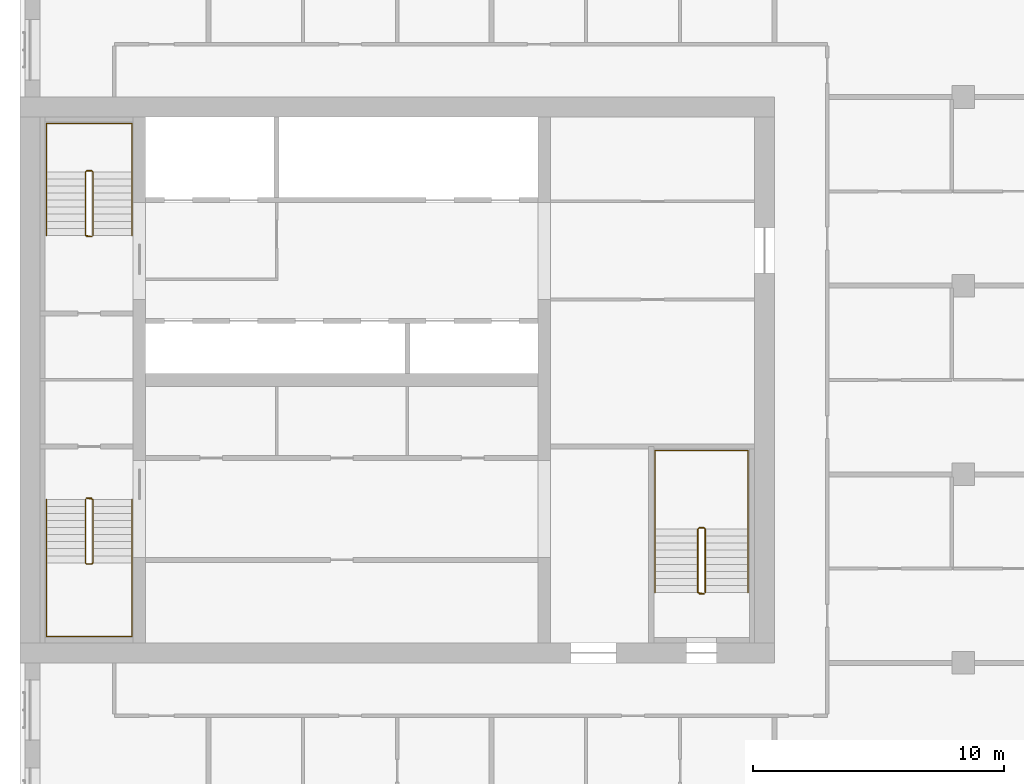
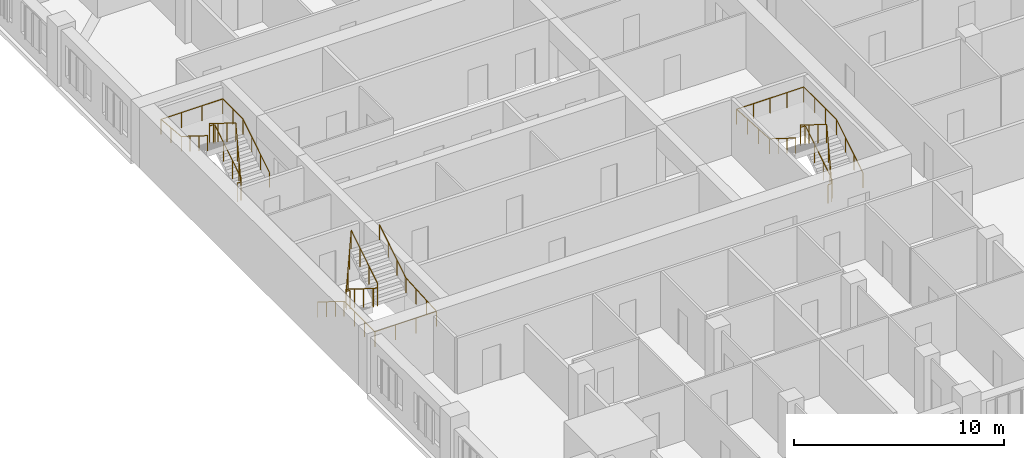
# One storey, part 14 of 14: 6 railings.
"""IFC4 building model written with IfcOpenShell, lengths in metres."""

from ifc_helpers import new_model, si_unit, direction, frame, origin, origin_2d, place, context, subcontext, project, spatial, circle, extrude, material, type_object, element, save


model = new_model("IFC4")

# Units and contexts
model_context = context("Model", 3, precision=1e-05, world=origin(), true_north=direction((0.0, 1.0)))
body_context = subcontext(model_context, "Body", "Model", "MODEL_VIEW")
ifc_project = project(units=[si_unit("LENGTHUNIT", "METRE"), si_unit("AREAUNIT", "SQUARE_METRE"), si_unit("VOLUMEUNIT", "CUBIC_METRE"), si_unit("PLANEANGLEUNIT", "RADIAN"), si_unit("MASSUNIT", "GRAM", prefix="KILO")], contexts=[model_context])

# Site, building, storey
site_placement = place(None, origin())
site = spatial("IfcSite", under=ifc_project, at=site_placement, CompositionType="ELEMENT")
building_placement = place(site_placement, origin())
building = spatial("IfcBuilding", under=site, at=building_placement, Name="Tamorin Gate", CompositionType="ELEMENT")
storey_placement = place(building_placement, frame((0.0, 0.0, 182.699951171875)))
storey = spatial("IfcBuildingStorey", under=building, at=storey_placement, Name="L44", CompositionType="ELEMENT", Elevation=182.699951171875)

# Railings
ifc_material_1 = material(Name="Painted steel balustrade", Category="steel")
railing_type_1 = type_object("IfcRailingType", Name="Stair guard 1100", PredefinedType="GUARDRAIL", material=ifc_material_1)
railing_1_placement = place(storey_placement, frame((32.60009765625, 66.5, 0.175048828125)))
element("IfcRailing", 1, at=railing_1_placement, inside=storey, type_object=railing_type_1, Name="L44 ST1 stair guard 1", PredefinedType="GUARDRAIL", context=body_context, shape_type="SweptSolid", body=[
    extrude(circle(Radius=0.02392578125, at=origin_2d()), frame((0.0, 0.0, 1.076171875), z_axis=(0.0, -0.848007534815, 0.529984170421), x_axis=(1.0, 0.0, 0.0)), (0.0, 0.0, 1.0), 2.9716796875),
    extrude(circle(Radius=0.02392578125, at=origin_2d()), frame((0.0, -2.52001953125, 2.65087890625), z_axis=(0.705375805398, -0.708833529934, 0.0), x_axis=(0.708833529934, 0.705375805398, 0.0)), (0.0, 0.0, 1.0), 0.070556640625),
    extrude(circle(Radius=0.02392578125, at=origin_2d()), frame((0.0498046875, -2.570068359375, 2.65087890625), z_axis=(1.0, 0.0, 0.0), x_axis=(0.0, 1.0, 0.0)), (0.0, 0.0, 1.0), 0.2001953125),
    extrude(circle(Radius=0.02392578125, at=origin_2d()), frame((0.25, -2.570068359375, 2.65087890625), z_axis=(0.263862480399, 0.265155923931, 0.927399011991), x_axis=(-0.708833529934, 0.705375805398, 0.0)), (0.0, 0.0, 1.0), 0.188720703125),
    extrude(circle(Radius=0.02392578125, at=origin_2d()), frame((0.2998046875, -2.52001953125, 2.826171875), z_axis=(0.0, 0.848007534815, 0.529984170421), x_axis=(-1.0, 0.0, 0.0)), (0.0, 0.0, 1.0), 2.9716796875),
    extrude(circle(Radius=0.02392578125, at=origin_2d()), frame((0.2998046875, 0.0, 4.40087890625), z_axis=(-0.071239803756, 0.014261874775, -0.997357252587), x_axis=(-0.196300278283, -0.98054382908, 0.0)), (0.0, 0.0, 1.0), 3.50927734375),
    extrude(circle(Radius=0.02392578125, at=origin_2d()), frame((0.0498046875, 0.050048828125, 0.90087890625), z_axis=(1.0, 0.0, 0.0), x_axis=(0.0, 1.0, 0.0)), (0.0, 0.0, 1.0), 0.2001953125),
    extrude(circle(Radius=0.02099609375, at=origin_2d()), origin(), (0.0, 0.0, 1.0), 1.052001953125),
    extrude(circle(Radius=0.02099609375, at=origin_2d()), frame((0.0, -0.840087890625, 0.52490234375)), (0.0, 0.0, 1.0), 1.052001953125),
    extrude(circle(Radius=0.02099609375, at=origin_2d()), frame((0.0, -1.679931640625, 1.050048828125)), (0.0, 0.0, 1.0), 1.052001953125),
    extrude(circle(Radius=0.02099609375, at=origin_2d()), frame((0.0, -2.52001953125, 1.574951171875)), (0.0, 0.0, 1.0), 1.052001953125),
    extrude(circle(Radius=0.02099609375, at=origin_2d()), frame((0.0498046875, -2.570068359375, 1.574951171875)), (0.0, 0.0, 1.0), 1.052001953125),
    extrude(circle(Radius=0.02099609375, at=origin_2d()), frame((0.25, -2.570068359375, 1.574951171875)), (0.0, 0.0, 1.0), 1.052001953125),
    extrude(circle(Radius=0.02099609375, at=origin_2d()), frame((0.2998046875, -2.52001953125, 1.75)), (0.0, 0.0, 1.0), 1.052001953125),
    extrude(circle(Radius=0.02099609375, at=origin_2d()), frame((0.2998046875, -1.679931640625, 2.27490234375)), (0.0, 0.0, 1.0), 1.052001953125),
    extrude(circle(Radius=0.02099609375, at=origin_2d()), frame((0.2998046875, -0.840087890625, 2.800048828125)), (0.0, 0.0, 1.0), 1.052001953125),
    extrude(circle(Radius=0.02099609375, at=origin_2d()), frame((0.2998046875, 0.0, 3.324951171875)), (0.0, 0.0, 1.0), 1.052001953125),
    extrude(circle(Radius=0.02099609375, at=origin_2d()), frame((0.216552734375, 0.0166015625, 2.158203125)), (0.0, 0.0, 1.0), 1.052001953125),
    extrude(circle(Radius=0.02099609375, at=origin_2d()), frame((0.133056640625, 0.033447265625, 0.99169921875)), (0.0, 0.0, 1.0), 1.052001953125),
    extrude(circle(Radius=0.02099609375, at=origin_2d()), frame((0.0498046875, 0.050048828125, -0.175048828125)), (0.0, 0.0, 1.0), 1.052001953125),
    extrude(circle(Radius=0.02099609375, at=origin_2d()), frame((0.25, 0.050048828125, -0.175048828125)), (0.0, 0.0, 1.0), 1.052001953125),
])
railing_2_placement = place(storey_placement, frame((32.89990234375, 77.0, 0.175048828125)))
element("IfcRailing", 2, at=railing_2_placement, inside=storey, type_object=railing_type_1, Name="L44 ST2 stair guard 1", PredefinedType="GUARDRAIL", context=body_context, shape_type="SweptSolid", body=[
    extrude(circle(Radius=0.02392578125, at=origin_2d()), frame((0.0, 0.0, 1.076171875), z_axis=(0.0, 0.848007534815, 0.529984170421), x_axis=(-1.0, 0.0, 0.0)), (0.0, 0.0, 1.0), 2.9716796875),
    extrude(circle(Radius=0.02392578125, at=origin_2d()), frame((0.0, 2.52001953125, 2.65087890625), z_axis=(-0.705375805398, 0.708833529934, 0.0), x_axis=(-0.708833529934, -0.705375805398, 0.0)), (0.0, 0.0, 1.0), 0.070556640625),
    extrude(circle(Radius=0.02392578125, at=origin_2d()), frame((-0.0498046875, 2.570068359375, 2.65087890625), z_axis=(-1.0, 0.0, 0.0), x_axis=(0.0, -1.0, 0.0)), (0.0, 0.0, 1.0), 0.2001953125),
    extrude(circle(Radius=0.02392578125, at=origin_2d()), frame((-0.25, 2.570068359375, 2.65087890625), z_axis=(-0.263862480399, -0.265155923931, 0.927399011991), x_axis=(0.708833529934, -0.705375805398, 0.0)), (0.0, 0.0, 1.0), 0.188720703125),
    extrude(circle(Radius=0.02392578125, at=origin_2d()), frame((-0.2998046875, 2.52001953125, 2.826171875), z_axis=(0.0, -0.848007534815, 0.529984170421), x_axis=(1.0, 0.0, 0.0)), (0.0, 0.0, 1.0), 2.9716796875),
    extrude(circle(Radius=0.02392578125, at=origin_2d()), frame((-0.2998046875, 0.0, 4.40087890625), z_axis=(0.071239803756, -0.014261874775, -0.997357252587), x_axis=(0.196300278283, 0.98054382908, 0.0)), (0.0, 0.0, 1.0), 3.50927734375),
    extrude(circle(Radius=0.02392578125, at=origin_2d()), frame((-0.0498046875, -0.050048828125, 0.90087890625), z_axis=(-1.0, 0.0, 0.0), x_axis=(0.0, -1.0, 0.0)), (0.0, 0.0, 1.0), 0.2001953125),
    extrude(circle(Radius=0.02099609375, at=origin_2d()), origin(), (0.0, 0.0, 1.0), 1.052001953125),
    extrude(circle(Radius=0.02099609375, at=origin_2d()), frame((0.0, 0.840087890625, 0.52490234375)), (0.0, 0.0, 1.0), 1.052001953125),
    extrude(circle(Radius=0.02099609375, at=origin_2d()), frame((0.0, 1.679931640625, 1.050048828125)), (0.0, 0.0, 1.0), 1.052001953125),
    extrude(circle(Radius=0.02099609375, at=origin_2d()), frame((0.0, 2.52001953125, 1.574951171875)), (0.0, 0.0, 1.0), 1.052001953125),
    extrude(circle(Radius=0.02099609375, at=origin_2d()), frame((-0.0498046875, 2.570068359375, 1.574951171875)), (0.0, 0.0, 1.0), 1.052001953125),
    extrude(circle(Radius=0.02099609375, at=origin_2d()), frame((-0.25, 2.570068359375, 1.574951171875)), (0.0, 0.0, 1.0), 1.052001953125),
    extrude(circle(Radius=0.02099609375, at=origin_2d()), frame((-0.2998046875, 2.52001953125, 1.75)), (0.0, 0.0, 1.0), 1.052001953125),
    extrude(circle(Radius=0.02099609375, at=origin_2d()), frame((-0.2998046875, 1.679931640625, 2.27490234375)), (0.0, 0.0, 1.0), 1.052001953125),
    extrude(circle(Radius=0.02099609375, at=origin_2d()), frame((-0.2998046875, 0.840087890625, 2.800048828125)), (0.0, 0.0, 1.0), 1.052001953125),
    extrude(circle(Radius=0.02099609375, at=origin_2d()), frame((-0.2998046875, 0.0, 3.324951171875)), (0.0, 0.0, 1.0), 1.052001953125),
    extrude(circle(Radius=0.02099609375, at=origin_2d()), frame((-0.216552734375, -0.0166015625, 2.158203125)), (0.0, 0.0, 1.0), 1.052001953125),
    extrude(circle(Radius=0.02099609375, at=origin_2d()), frame((-0.133056640625, -0.033447265625, 0.99169921875)), (0.0, 0.0, 1.0), 1.052001953125),
    extrude(circle(Radius=0.02099609375, at=origin_2d()), frame((-0.0498046875, -0.050048828125, -0.175048828125)), (0.0, 0.0, 1.0), 1.052001953125),
    extrude(circle(Radius=0.02099609375, at=origin_2d()), frame((-0.25, -0.050048828125, -0.175048828125)), (0.0, 0.0, 1.0), 1.052001953125),
])
railing_3_placement = place(storey_placement, frame((57.25, 62.800048828125, 0.175048828125)))
element("IfcRailing", 3, at=railing_3_placement, inside=storey, type_object=railing_type_1, Name="L44 ST3 stair guard 1", PredefinedType="GUARDRAIL", context=body_context, shape_type="SweptSolid", body=[
    extrude(circle(Radius=0.02392578125, at=origin_2d()), frame((0.0, 0.0, 1.076171875), z_axis=(0.0, 0.848007534815, 0.529984170421), x_axis=(-1.0, 0.0, 0.0)), (0.0, 0.0, 1.0), 2.9716796875),
    extrude(circle(Radius=0.02392578125, at=origin_2d()), frame((0.0, 2.52001953125, 2.65087890625), z_axis=(-0.707106781187, 0.707106781187, 0.0), x_axis=(-0.707106781187, -0.707106781187, 0.0)), (0.0, 0.0, 1.0), 0.07080078125),
    extrude(circle(Radius=0.02392578125, at=origin_2d()), frame((-0.050048828125, 2.570068359375, 2.65087890625), z_axis=(-1.0, 0.0, 0.0), x_axis=(0.0, -1.0, 0.0)), (0.0, 0.0, 1.0), 0.199951171875),
    extrude(circle(Radius=0.02392578125, at=origin_2d()), frame((-0.25, 2.570068359375, 2.65087890625), z_axis=(-0.265065253269, -0.265065253269, 0.927081885822), x_axis=(0.707106781187, -0.707106781187, 0.0)), (0.0, 0.0, 1.0), 0.188720703125),
    extrude(circle(Radius=0.02392578125, at=origin_2d()), frame((-0.300048828125, 2.52001953125, 2.826171875), z_axis=(0.0, -0.848007534815, 0.529984170421), x_axis=(1.0, 0.0, 0.0)), (0.0, 0.0, 1.0), 2.9716796875),
    extrude(circle(Radius=0.02392578125, at=origin_2d()), frame((-0.300048828125, 0.0, 4.40087890625), z_axis=(0.071239803756, -0.014261874775, -0.997357252587), x_axis=(0.196300278283, 0.98054382908, 0.0)), (0.0, 0.0, 1.0), 3.50927734375),
    extrude(circle(Radius=0.02392578125, at=origin_2d()), frame((-0.050048828125, -0.050048828125, 0.90087890625), z_axis=(-1.0, 0.0, 0.0), x_axis=(0.0, -1.0, 0.0)), (0.0, 0.0, 1.0), 0.199951171875),
    extrude(circle(Radius=0.02099609375, at=origin_2d()), origin(), (0.0, 0.0, 1.0), 1.052001953125),
    extrude(circle(Radius=0.02099609375, at=origin_2d()), frame((0.0, 0.840087890625, 0.52490234375)), (0.0, 0.0, 1.0), 1.052001953125),
    extrude(circle(Radius=0.02099609375, at=origin_2d()), frame((0.0, 1.679931640625, 1.050048828125)), (0.0, 0.0, 1.0), 1.052001953125),
    extrude(circle(Radius=0.02099609375, at=origin_2d()), frame((0.0, 2.52001953125, 1.574951171875)), (0.0, 0.0, 1.0), 1.052001953125),
    extrude(circle(Radius=0.02099609375, at=origin_2d()), frame((-0.050048828125, 2.570068359375, 1.574951171875)), (0.0, 0.0, 1.0), 1.052001953125),
    extrude(circle(Radius=0.02099609375, at=origin_2d()), frame((-0.25, 2.570068359375, 1.574951171875)), (0.0, 0.0, 1.0), 1.052001953125),
    extrude(circle(Radius=0.02099609375, at=origin_2d()), frame((-0.300048828125, 2.52001953125, 1.75)), (0.0, 0.0, 1.0), 1.052001953125),
    extrude(circle(Radius=0.02099609375, at=origin_2d()), frame((-0.300048828125, 1.679931640625, 2.27490234375)), (0.0, 0.0, 1.0), 1.052001953125),
    extrude(circle(Radius=0.02099609375, at=origin_2d()), frame((-0.300048828125, 0.840087890625, 2.800048828125)), (0.0, 0.0, 1.0), 1.052001953125),
    extrude(circle(Radius=0.02099609375, at=origin_2d()), frame((-0.300048828125, 0.0, 3.324951171875)), (0.0, 0.0, 1.0), 1.052001953125),
    extrude(circle(Radius=0.02099609375, at=origin_2d()), frame((-0.216796875, -0.0166015625, 2.158203125)), (0.0, 0.0, 1.0), 1.052001953125),
    extrude(circle(Radius=0.02099609375, at=origin_2d()), frame((-0.13330078125, -0.033447265625, 0.99169921875)), (0.0, 0.0, 1.0), 1.052001953125),
    extrude(circle(Radius=0.02099609375, at=origin_2d()), frame((-0.050048828125, -0.050048828125, -0.175048828125)), (0.0, 0.0, 1.0), 1.052001953125),
    extrude(circle(Radius=0.02099609375, at=origin_2d()), frame((-0.25, -0.050048828125, -0.175048828125)), (0.0, 0.0, 1.0), 1.052001953125),
])
ifc_material_2 = material(Name="Painted steel handrail", Category="steel")
railing_type_2 = type_object("IfcRailingType", Name="Stair handrail 900", PredefinedType="HANDRAIL", material=ifc_material_2)
railing_4_placement = place(storey_placement, frame((31.050048828125, 66.5, 0.175048828125)))
element("IfcRailing", 4, at=railing_4_placement, inside=storey, type_object=railing_type_2, Name="L44 ST1 stair handrail 1", PredefinedType="HANDRAIL", context=body_context, shape_type="SweptSolid", body=[
    extrude(circle(Radius=0.02392578125, at=origin_2d()), frame((0.0, 0.0, 0.8759765625), z_axis=(0.0, -0.848007534815, 0.529984170421), x_axis=(1.0, 0.0, 0.0)), (0.0, 0.0, 1.0), 2.9716796875),
    extrude(circle(Radius=0.02392578125, at=origin_2d()), frame((0.0, -2.52001953125, 2.45068359375), z_axis=(0.0, -1.0, 0.0), x_axis=(1.0, 0.0, 0.0)), (0.0, 0.0, 1.0), 2.929931640625),
    extrude(circle(Radius=0.02392578125, at=origin_2d()), frame((0.0, -5.449951171875, 2.45068359375), z_axis=(1.0, 0.0, 0.0), x_axis=(0.0, 1.0, 0.0)), (0.0, 0.0, 1.0), 3.39990234375),
    extrude(circle(Radius=0.02392578125, at=origin_2d()), frame((3.39990234375, -5.449951171875, 2.45068359375), z_axis=(0.0, 0.998220029962, 0.0596386769), x_axis=(-1.0, 0.0, 0.0)), (0.0, 0.0, 1.0), 2.93505859375),
    extrude(circle(Radius=0.02392578125, at=origin_2d()), frame((3.39990234375, -2.52001953125, 2.6259765625), z_axis=(0.0, 0.848007534815, 0.529984170421), x_axis=(-1.0, 0.0, 0.0)), (0.0, 0.0, 1.0), 2.9716796875),
    extrude(circle(Radius=0.02099609375, at=origin_2d()), origin(), (0.0, 0.0, 1.0), 0.851806640625),
    extrude(circle(Radius=0.02099609375, at=origin_2d()), frame((0.0, -0.840087890625, 0.52490234375)), (0.0, 0.0, 1.0), 0.851806640625),
    extrude(circle(Radius=0.02099609375, at=origin_2d()), frame((0.0, -1.679931640625, 1.050048828125)), (0.0, 0.0, 1.0), 0.851806640625),
    extrude(circle(Radius=0.02099609375, at=origin_2d()), frame((0.0, -2.52001953125, 1.574951171875)), (0.0, 0.0, 1.0), 0.851806640625),
    extrude(circle(Radius=0.02099609375, at=origin_2d()), frame((0.0, -3.49658203125, 1.574951171875)), (0.0, 0.0, 1.0), 0.851806640625),
    extrude(circle(Radius=0.02099609375, at=origin_2d()), frame((0.0, -4.473388671875, 1.574951171875)), (0.0, 0.0, 1.0), 0.851806640625),
    extrude(circle(Radius=0.02099609375, at=origin_2d()), frame((0.0, -5.449951171875, 1.574951171875)), (0.0, 0.0, 1.0), 0.851806640625),
    extrude(circle(Radius=0.02099609375, at=origin_2d()), frame((1.13330078125, -5.449951171875, 1.574951171875)), (0.0, 0.0, 1.0), 0.851806640625),
    extrude(circle(Radius=0.02099609375, at=origin_2d()), frame((2.2666015625, -5.449951171875, 1.574951171875)), (0.0, 0.0, 1.0), 0.851806640625),
    extrude(circle(Radius=0.02099609375, at=origin_2d()), frame((3.39990234375, -5.449951171875, 1.574951171875)), (0.0, 0.0, 1.0), 0.851806640625),
    extrude(circle(Radius=0.02099609375, at=origin_2d()), frame((3.39990234375, -4.473388671875, 1.63330078125)), (0.0, 0.0, 1.0), 0.851806640625),
    extrude(circle(Radius=0.02099609375, at=origin_2d()), frame((3.39990234375, -3.49658203125, 1.691650390625)), (0.0, 0.0, 1.0), 0.851806640625),
    extrude(circle(Radius=0.02099609375, at=origin_2d()), frame((3.39990234375, -2.52001953125, 1.75)), (0.0, 0.0, 1.0), 0.851806640625),
    extrude(circle(Radius=0.02099609375, at=origin_2d()), frame((3.39990234375, -1.679931640625, 2.27490234375)), (0.0, 0.0, 1.0), 0.851806640625),
    extrude(circle(Radius=0.02099609375, at=origin_2d()), frame((3.39990234375, -0.840087890625, 2.800048828125)), (0.0, 0.0, 1.0), 0.851806640625),
    extrude(circle(Radius=0.02099609375, at=origin_2d()), frame((3.39990234375, 0.0, 3.324951171875)), (0.0, 0.0, 1.0), 0.851806640625),
])
railing_5_placement = place(storey_placement, frame((34.449951171875, 77.0, 0.175048828125)))
element("IfcRailing", 5, at=railing_5_placement, inside=storey, type_object=railing_type_2, Name="L44 ST2 stair handrail 1", PredefinedType="HANDRAIL", context=body_context, shape_type="SweptSolid", body=[
    extrude(circle(Radius=0.02392578125, at=origin_2d()), frame((0.0, 0.0, 0.8759765625), z_axis=(0.0, 0.848007534815, 0.529984170421), x_axis=(-1.0, 0.0, 0.0)), (0.0, 0.0, 1.0), 2.9716796875),
    extrude(circle(Radius=0.02392578125, at=origin_2d()), frame((0.0, 2.52001953125, 2.45068359375), z_axis=(0.0, 1.0, 0.0), x_axis=(-1.0, 0.0, 0.0)), (0.0, 0.0, 1.0), 1.929931640625),
    extrude(circle(Radius=0.02392578125, at=origin_2d()), frame((0.0, 4.449951171875, 2.45068359375), z_axis=(-1.0, 0.0, 0.0), x_axis=(0.0, -1.0, 0.0)), (0.0, 0.0, 1.0), 3.39990234375),
    extrude(circle(Radius=0.02392578125, at=origin_2d()), frame((-3.39990234375, 4.449951171875, 2.45068359375), z_axis=(0.0, -0.995911773435, 0.090331276604), x_axis=(1.0, 0.0, 0.0)), (0.0, 0.0, 1.0), 1.937744140625),
    extrude(circle(Radius=0.02392578125, at=origin_2d()), frame((-3.39990234375, 2.52001953125, 2.6259765625), z_axis=(0.0, -0.848007534815, 0.529984170421), x_axis=(1.0, 0.0, 0.0)), (0.0, 0.0, 1.0), 2.9716796875),
    extrude(circle(Radius=0.02099609375, at=origin_2d()), origin(), (0.0, 0.0, 1.0), 0.851806640625),
    extrude(circle(Radius=0.02099609375, at=origin_2d()), frame((0.0, 0.840087890625, 0.52490234375)), (0.0, 0.0, 1.0), 0.851806640625),
    extrude(circle(Radius=0.02099609375, at=origin_2d()), frame((0.0, 1.679931640625, 1.050048828125)), (0.0, 0.0, 1.0), 0.851806640625),
    extrude(circle(Radius=0.02099609375, at=origin_2d()), frame((0.0, 2.52001953125, 1.574951171875)), (0.0, 0.0, 1.0), 0.851806640625),
    extrude(circle(Radius=0.02099609375, at=origin_2d()), frame((0.0, 3.48486328125, 1.574951171875)), (0.0, 0.0, 1.0), 0.851806640625),
    extrude(circle(Radius=0.02099609375, at=origin_2d()), frame((0.0, 4.449951171875, 1.574951171875)), (0.0, 0.0, 1.0), 0.851806640625),
    extrude(circle(Radius=0.02099609375, at=origin_2d()), frame((-1.13330078125, 4.449951171875, 1.574951171875)), (0.0, 0.0, 1.0), 0.851806640625),
    extrude(circle(Radius=0.02099609375, at=origin_2d()), frame((-2.2666015625, 4.449951171875, 1.574951171875)), (0.0, 0.0, 1.0), 0.851806640625),
    extrude(circle(Radius=0.02099609375, at=origin_2d()), frame((-3.39990234375, 4.449951171875, 1.574951171875)), (0.0, 0.0, 1.0), 0.851806640625),
    extrude(circle(Radius=0.02099609375, at=origin_2d()), frame((-3.39990234375, 3.48486328125, 1.66259765625)), (0.0, 0.0, 1.0), 0.851806640625),
    extrude(circle(Radius=0.02099609375, at=origin_2d()), frame((-3.39990234375, 2.52001953125, 1.75)), (0.0, 0.0, 1.0), 0.851806640625),
    extrude(circle(Radius=0.02099609375, at=origin_2d()), frame((-3.39990234375, 1.679931640625, 2.27490234375)), (0.0, 0.0, 1.0), 0.851806640625),
    extrude(circle(Radius=0.02099609375, at=origin_2d()), frame((-3.39990234375, 0.840087890625, 2.800048828125)), (0.0, 0.0, 1.0), 0.851806640625),
    extrude(circle(Radius=0.02099609375, at=origin_2d()), frame((-3.39990234375, 0.0, 3.324951171875)), (0.0, 0.0, 1.0), 0.851806640625),
])
railing_6_placement = place(storey_placement, frame((58.949951171875, 62.800048828125, 0.175048828125)))
element("IfcRailing", 6, at=railing_6_placement, inside=storey, type_object=railing_type_2, Name="L44 ST3 stair handrail 1", PredefinedType="HANDRAIL", context=body_context, shape_type="SweptSolid", body=[
    extrude(circle(Radius=0.02392578125, at=origin_2d()), frame((0.0, 0.0, 0.8759765625), z_axis=(0.0, 0.848007534815, 0.529984170421), x_axis=(-1.0, 0.0, 0.0)), (0.0, 0.0, 1.0), 2.9716796875),
    extrude(circle(Radius=0.02392578125, at=origin_2d()), frame((0.0, 2.52001953125, 2.45068359375), z_axis=(0.0, 1.0, 0.0), x_axis=(-1.0, 0.0, 0.0)), (0.0, 0.0, 1.0), 3.1298828125),
    extrude(circle(Radius=0.02392578125, at=origin_2d()), frame((0.0, 5.64990234375, 2.45068359375), z_axis=(-1.0, 0.0, 0.0), x_axis=(0.0, -1.0, 0.0)), (0.0, 0.0, 1.0), 3.699951171875),
    extrude(circle(Radius=0.02392578125, at=origin_2d()), frame((-3.699951171875, 5.64990234375, 2.45068359375), z_axis=(0.0, -0.998439675676, 0.055840970941), x_axis=(1.0, 0.0, 0.0)), (0.0, 0.0, 1.0), 3.134765625),
    extrude(circle(Radius=0.02392578125, at=origin_2d()), frame((-3.699951171875, 2.52001953125, 2.6259765625), z_axis=(0.0, -0.848007534815, 0.529984170421), x_axis=(1.0, 0.0, 0.0)), (0.0, 0.0, 1.0), 2.9716796875),
    extrude(circle(Radius=0.02099609375, at=origin_2d()), origin(), (0.0, 0.0, 1.0), 0.851806640625),
    extrude(circle(Radius=0.02099609375, at=origin_2d()), frame((0.0, 0.840087890625, 0.52490234375)), (0.0, 0.0, 1.0), 0.851806640625),
    extrude(circle(Radius=0.02099609375, at=origin_2d()), frame((0.0, 1.679931640625, 1.050048828125)), (0.0, 0.0, 1.0), 0.851806640625),
    extrude(circle(Radius=0.02099609375, at=origin_2d()), frame((0.0, 2.52001953125, 1.574951171875)), (0.0, 0.0, 1.0), 0.851806640625),
    extrude(circle(Radius=0.02099609375, at=origin_2d()), frame((0.0, 3.563232421875, 1.574951171875)), (0.0, 0.0, 1.0), 0.851806640625),
    extrude(circle(Radius=0.02099609375, at=origin_2d()), frame((0.0, 4.606689453125, 1.574951171875)), (0.0, 0.0, 1.0), 0.851806640625),
    extrude(circle(Radius=0.02099609375, at=origin_2d()), frame((0.0, 5.64990234375, 1.574951171875)), (0.0, 0.0, 1.0), 0.851806640625),
    extrude(circle(Radius=0.02099609375, at=origin_2d()), frame((-0.925048828125, 5.64990234375, 1.574951171875)), (0.0, 0.0, 1.0), 0.851806640625),
    extrude(circle(Radius=0.02099609375, at=origin_2d()), frame((-1.85009765625, 5.64990234375, 1.574951171875)), (0.0, 0.0, 1.0), 0.851806640625),
    extrude(circle(Radius=0.02099609375, at=origin_2d()), frame((-2.77490234375, 5.64990234375, 1.574951171875)), (0.0, 0.0, 1.0), 0.851806640625),
    extrude(circle(Radius=0.02099609375, at=origin_2d()), frame((-3.699951171875, 5.64990234375, 1.574951171875)), (0.0, 0.0, 1.0), 0.851806640625),
    extrude(circle(Radius=0.02099609375, at=origin_2d()), frame((-3.699951171875, 4.606689453125, 1.63330078125)), (0.0, 0.0, 1.0), 0.851806640625),
    extrude(circle(Radius=0.02099609375, at=origin_2d()), frame((-3.699951171875, 3.563232421875, 1.691650390625)), (0.0, 0.0, 1.0), 0.851806640625),
    extrude(circle(Radius=0.02099609375, at=origin_2d()), frame((-3.699951171875, 2.52001953125, 1.75)), (0.0, 0.0, 1.0), 0.851806640625),
    extrude(circle(Radius=0.02099609375, at=origin_2d()), frame((-3.699951171875, 1.679931640625, 2.27490234375)), (0.0, 0.0, 1.0), 0.851806640625),
    extrude(circle(Radius=0.02099609375, at=origin_2d()), frame((-3.699951171875, 0.840087890625, 2.800048828125)), (0.0, 0.0, 1.0), 0.851806640625),
    extrude(circle(Radius=0.02099609375, at=origin_2d()), frame((-3.699951171875, 0.0, 3.324951171875)), (0.0, 0.0, 1.0), 0.851806640625),
])

save(model, "model.ifc")
